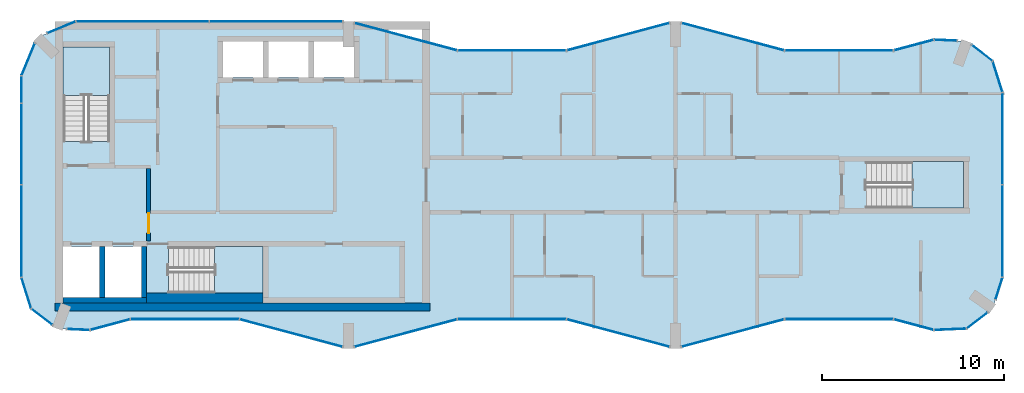
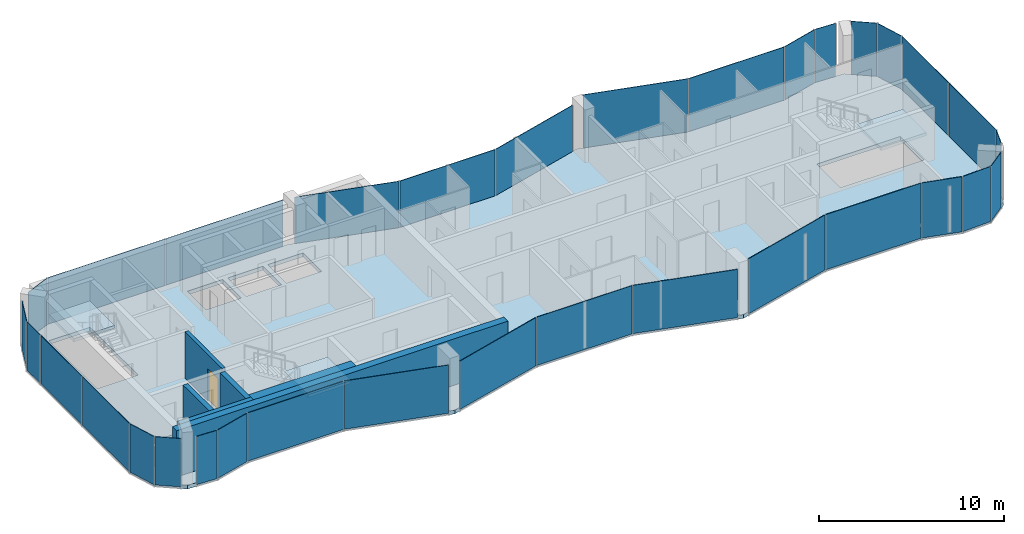
# One storey, part 6 of 10: 33 plates, 6 walls, 4 slabs, 1 door, 1 opening, 32 elements without a shape of their own.
"""IFC4 building model written with IfcOpenShell, lengths in metres."""

from ifc_helpers import new_model, si_unit, direction, frame, frame_2d, origin, origin_2d, place, context, subcontext, project, spatial, polyline, rectangle, outline, extrude, material, layer, layer_set, type_object, element, fill, aggregate, save


model = new_model("IFC4")

# Units and contexts
model_context = context("Model", 3, precision=1e-05, world=origin(), true_north=direction((0.0, 1.0)))
body_context = subcontext(model_context, "Body", "Model", "MODEL_VIEW")
ifc_project = project(units=[si_unit("LENGTHUNIT", "METRE"), si_unit("AREAUNIT", "SQUARE_METRE"), si_unit("VOLUMEUNIT", "CUBIC_METRE"), si_unit("PLANEANGLEUNIT", "RADIAN"), si_unit("MASSUNIT", "GRAM", prefix="KILO")], contexts=[model_context])

# Site, building, storey
site_placement = place(None, origin())
site = spatial("IfcSite", under=ifc_project, at=site_placement, CompositionType="ELEMENT")
building_placement = place(site_placement, origin())
building = spatial("IfcBuilding", under=site, at=building_placement, Name="Plateau Cross Towers", CompositionType="ELEMENT")
storey_placement = place(building_placement, frame((0.0, 0.0, 284.39990234375)))
storey = spatial("IfcBuildingStorey", under=building, at=storey_placement, Name="L75", CompositionType="ELEMENT", Elevation=284.39990234375)

# Curtain wall, plate
ifc_material_1 = material(Name="Dark low-iron glass", Category="glass")
ifc_layer_1 = layer(ifc_material_1, 0.239990234375)
ifc_layer_set_1 = layer_set([ifc_layer_1], Name="Dark low-iron glass")
curtain_wall_type_1 = type_object("IfcCurtainWallType", Name="Curtain wall flush unitised CW-B", PredefinedType="NOTDEFINED", material=ifc_layer_set_1)
curtain_wall_1_placement = place(storey_placement, origin())
curtain_wall_1 = element("IfcCurtainWall", 1, at=curtain_wall_1_placement, inside=storey, type_object=curtain_wall_type_1, Name="ENV/A/L75/A502_10", PredefinedType="NOTDEFINED")
ifc_layer_2 = layer(ifc_material_1, 0.031982421875)
ifc_layer_set_2 = layer_set([ifc_layer_2], Name="Dark low-iron glass")
plate_type_1 = type_object("IfcPlateType", Name="Glass panel 32 flush unitised", PredefinedType="CURTAIN_PANEL", material=ifc_layer_set_2)
plate_1_placement = place(storey_placement, frame((51.125, 1.05078125, -0.1298828125), z_axis=(0.0, 0.0, 1.0), x_axis=(0.999043701491, 0.043722791671, 0.0)))
plate_1 = element("IfcPlate", 2, at=plate_1_placement, type_object=plate_type_1, Name="CW-B panel 1", PredefinedType="CURTAIN_PANEL", context=body_context, shape_type="SweptSolid", body=[
    extrude(rectangle(XDim=1.744140625, YDim=0.031982421875, at=origin_2d()), origin(), (0.0, 0.0, 1.0), 3.6298828125),
])
aggregate(curtain_wall_1, [plate_1])

curtain_wall_2_placement = place(storey_placement, origin())
curtain_wall_2 = element("IfcCurtainWall", 3, at=curtain_wall_2_placement, inside=storey, type_object=curtain_wall_type_1, Name="ENV/A/L75/A520_11", PredefinedType="NOTDEFINED")
plate_2_placement = place(storey_placement, frame((52.60986328125, 1.5380859375, -0.1298828125), z_axis=(0.0, 0.0, 1.0), x_axis=(0.793315514529, 0.608810721331, 0.0)))
plate_2 = element("IfcPlate", 4, at=plate_2_placement, type_object=plate_type_1, Name="CW-B panel 1", PredefinedType="CURTAIN_PANEL", context=body_context, shape_type="SweptSolid", body=[
    extrude(rectangle(XDim=1.41162109375, YDim=0.031982421875, at=origin_2d()), origin(), (0.0, 0.0, 1.0), 3.6298828125),
])
aggregate(curtain_wall_2, [plate_2])

curtain_wall_3_placement = place(storey_placement, origin())
curtain_wall_3 = element("IfcCurtainWall", 5, at=curtain_wall_3_placement, inside=storey, type_object=curtain_wall_type_1, Name="ENV/A/L75/A536_27", PredefinedType="NOTDEFINED")
plate_3_placement = place(storey_placement, frame((53.805419921875, 3.292236328125, -0.1298828125), z_axis=(0.0, 0.0, 1.0), x_axis=(0.300686174994, 0.95372313811, 0.0)))
plate_3 = element("IfcPlate", 6, at=plate_3_placement, type_object=plate_type_1, Name="CW-B panel 1", PredefinedType="CURTAIN_PANEL", context=body_context, shape_type="SweptSolid", body=[
    extrude(rectangle(XDim=1.233642578125, YDim=0.031982421875, at=origin_2d()), origin(), (0.0, 0.0, 1.0), 3.6298828125),
])
aggregate(curtain_wall_3, [plate_3])

# Curtain wall, plates
curtain_wall_4_placement = place(storey_placement, origin())
curtain_wall_4 = element("IfcCurtainWall", 7, at=curtain_wall_4_placement, inside=storey, type_object=curtain_wall_type_1, Name="ENV/A/L75/A540_39", PredefinedType="NOTDEFINED")
plate_4_placement = place(storey_placement, frame((54.0, 6.45458984375, -0.1298828125), z_axis=(0.0, 0.0, 1.0), x_axis=(0.0, 1.0, 0.0)))
plate_4 = element("IfcPlate", 8, at=plate_4_placement, type_object=plate_type_1, Name="CW-B panel 1", PredefinedType="CURTAIN_PANEL", context=body_context, shape_type="SweptSolid", body=[
    extrude(rectangle(XDim=5.03076171875, YDim=0.031982421875, at=origin_2d()), origin(), (0.0, 0.0, 1.0), 3.6298828125),
])
plate_5_placement = place(storey_placement, frame((54.0, 11.54541015625, -0.1298828125), z_axis=(0.0, 0.0, 1.0), x_axis=(0.0, 1.0, 0.0)))
plate_5 = element("IfcPlate", 9, at=plate_5_placement, type_object=plate_type_1, Name="CW-B panel 2", PredefinedType="CURTAIN_PANEL", context=body_context, shape_type="SweptSolid", body=[
    extrude(rectangle(XDim=5.03076171875, YDim=0.031982421875, at=origin_2d()), origin(), (0.0, 0.0, 1.0), 3.6298828125),
])
aggregate(curtain_wall_4, [plate_4, plate_5])

# Curtain wall, plate
curtain_wall_5_placement = place(storey_placement, origin())
curtain_wall_5 = element("IfcCurtainWall", 10, at=curtain_wall_5_placement, inside=storey, type_object=curtain_wall_type_1, Name="ENV/A/L75/A540_141", PredefinedType="NOTDEFINED")
plate_6_placement = place(storey_placement, frame((53.728759765625, 14.951171875, -0.1298828125), z_axis=(0.0, 0.0, 1.0), x_axis=(-0.300686174994, 0.95372313811, 0.0)))
plate_6 = element("IfcPlate", 11, at=plate_6_placement, type_object=plate_type_1, Name="CW-B panel 1", PredefinedType="CURTAIN_PANEL", context=body_context, shape_type="SweptSolid", body=[
    extrude(rectangle(XDim=1.744140625, YDim=0.031982421875, at=origin_2d()), origin(), (0.0, 0.0, 1.0), 3.6298828125),
])
aggregate(curtain_wall_5, [plate_6])

curtain_wall_6_placement = place(storey_placement, origin())
curtain_wall_6 = element("IfcCurtainWall", 12, at=curtain_wall_6_placement, inside=storey, type_object=curtain_wall_type_1, Name="ENV/A/L75/A535_158", PredefinedType="NOTDEFINED")
plate_7_placement = place(storey_placement, frame((52.873779296875, 16.25927734375, -0.1298828125), z_axis=(0.0, 0.0, 1.0), x_axis=(-0.793315514529, 0.608810721331, 0.0)))
plate_7 = element("IfcPlate", 13, at=plate_7_placement, type_object=plate_type_1, Name="CW-B panel 1", PredefinedType="CURTAIN_PANEL", context=body_context, shape_type="SweptSolid", body=[
    extrude(rectangle(XDim=1.41162109375, YDim=0.031982421875, at=origin_2d()), origin(), (0.0, 0.0, 1.0), 3.6298828125),
])
aggregate(curtain_wall_6, [plate_7])

curtain_wall_7_placement = place(storey_placement, origin())
curtain_wall_7 = element("IfcCurtainWall", 14, at=curtain_wall_7_placement, inside=storey, type_object=curtain_wall_type_1, Name="ENV/A/L75/A515_169", PredefinedType="NOTDEFINED")
plate_8_placement = place(storey_placement, frame((50.8701171875, 16.96044921875, -0.1298828125), z_axis=(0.0, 0.0, 1.0), x_axis=(-0.999043701491, 0.043722791671, 0.0)))
plate_8 = element("IfcPlate", 15, at=plate_8_placement, type_object=plate_type_1, Name="CW-B panel 1", PredefinedType="CURTAIN_PANEL", context=body_context, shape_type="SweptSolid", body=[
    extrude(rectangle(XDim=1.233642578125, YDim=0.031982421875, at=origin_2d()), origin(), (0.0, 0.0, 1.0), 3.6298828125),
])
aggregate(curtain_wall_7, [plate_8])

# Curtain wall, plates
curtain_wall_8_placement = place(storey_placement, origin())
curtain_wall_8 = element("IfcCurtainWall", 16, at=curtain_wall_8_placement, inside=storey, type_object=curtain_wall_type_1, Name="ENV/A/L75/A177_180", PredefinedType="NOTDEFINED")
plate_9_placement = place(storey_placement, frame((14.02490234375, 18.0, -0.1298828125), z_axis=(0.0, 0.0, 1.0), x_axis=(-1.0, 0.0, 0.0)))
plate_9 = element("IfcPlate", 17, at=plate_9_placement, type_object=plate_type_1, Name="CW-B panel 1", PredefinedType="CURTAIN_PANEL", context=body_context, shape_type="SweptSolid", body=[
    extrude(rectangle(XDim=7.2900390625, YDim=0.031982421875, at=origin_2d()), origin(), (0.0, 0.0, 1.0), 3.179931640625),
])
plate_10_placement = place(storey_placement, frame((6.675048828125, 18.0, -0.1298828125), z_axis=(0.0, 0.0, 1.0), x_axis=(-1.0, 0.0, 0.0)))
plate_10 = element("IfcPlate", 18, at=plate_10_placement, type_object=plate_type_1, Name="CW-B panel 2", PredefinedType="CURTAIN_PANEL", context=body_context, shape_type="SweptSolid", body=[
    extrude(rectangle(XDim=7.2900390625, YDim=0.031982421875, at=origin_2d()), origin(), (0.0, 0.0, 1.0), 3.179931640625),
])
aggregate(curtain_wall_8, [plate_9, plate_10])

# Curtain wall, plate
curtain_wall_9_placement = place(storey_placement, origin())
curtain_wall_9 = element("IfcCurtainWall", 19, at=curtain_wall_9_placement, inside=storey, type_object=curtain_wall_type_1, Name="ENV/A/L75/A30_180", PredefinedType="NOTDEFINED")
plate_11_placement = place(storey_placement, frame((2.20166015625, 17.66943359375, -0.1298828125), z_axis=(0.0, 0.0, 1.0), x_axis=(-0.923879457699, -0.382683612978, 0.0)))
plate_11 = element("IfcPlate", 20, at=plate_11_placement, type_object=plate_type_1, Name="CW-B panel 1", PredefinedType="CURTAIN_PANEL", context=body_context, shape_type="SweptSolid", body=[
    extrude(rectangle(XDim=1.668212890625, YDim=0.031982421875, at=origin_2d()), origin(), (0.0, 0.0, 1.0), 3.179931640625),
])
aggregate(curtain_wall_9, [plate_11])

curtain_wall_10_placement = place(storey_placement, origin())
curtain_wall_10 = element("IfcCurtainWall", 21, at=curtain_wall_10_placement, inside=storey, type_object=curtain_wall_type_1, Name="ENV/A/L75/A7_168", PredefinedType="NOTDEFINED")
plate_12_placement = place(storey_placement, frame((0.3740234375, 15.90283203125, -0.1298828125), z_axis=(0.0, 0.0, 1.0), x_axis=(-0.382683612978, -0.923879457699, 0.0)))
plate_12 = element("IfcPlate", 22, at=plate_12_placement, type_object=plate_type_1, Name="CW-B panel 1", PredefinedType="CURTAIN_PANEL", context=body_context, shape_type="SweptSolid", body=[
    extrude(rectangle(XDim=1.894775390625, YDim=0.031982421875, at=origin_2d()), origin(), (0.0, 0.0, 1.0), 3.179931640625),
])
aggregate(curtain_wall_10, [plate_12])

# Curtain wall, plates
curtain_wall_11_placement = place(storey_placement, origin())
curtain_wall_11 = element("IfcCurtainWall", 23, at=curtain_wall_11_placement, inside=storey, type_object=curtain_wall_type_1, Name="ENV/A/L75/A0_150", PredefinedType="NOTDEFINED")
plate_13_placement = place(storey_placement, frame((0.0, 14.25, -0.1298828125), z_axis=(0.0, 0.0, 1.0), x_axis=(0.0, -1.0, 0.0)))
plate_13 = element("IfcPlate", 24, at=plate_13_placement, type_object=plate_type_1, Name="CW-B panel 1", PredefinedType="CURTAIN_PANEL", context=body_context, shape_type="SweptSolid", body=[
    extrude(rectangle(XDim=1.43994140625, YDim=0.031982421875, at=origin_2d()), origin(), (0.0, 0.0, 1.0), 3.179931640625),
])
plate_14_placement = place(storey_placement, frame((0.0, 11.25, -0.1298828125), z_axis=(0.0, 0.0, 1.0), x_axis=(0.0, -1.0, 0.0)))
plate_14 = element("IfcPlate", 25, at=plate_14_placement, type_object=plate_type_1, Name="CW-B panel 2", PredefinedType="CURTAIN_PANEL", context=body_context, shape_type="SweptSolid", body=[
    extrude(rectangle(XDim=4.43994140625, YDim=0.031982421875, at=origin_2d()), origin(), (0.0, 0.0, 1.0), 3.179931640625),
])
plate_15_placement = place(storey_placement, frame((0.0, 6.45458984375, -0.1298828125), z_axis=(0.0, 0.0, 1.0), x_axis=(0.0, -1.0, 0.0)))
plate_15 = element("IfcPlate", 26, at=plate_15_placement, type_object=plate_type_1, Name="CW-B panel 3", PredefinedType="CURTAIN_PANEL", context=body_context, shape_type="SweptSolid", body=[
    extrude(rectangle(XDim=5.03076171875, YDim=0.031982421875, at=origin_2d()), origin(), (0.0, 0.0, 1.0), 3.179931640625),
])
aggregate(curtain_wall_11, [plate_13, plate_14, plate_15])

# Curtain wall, plate
curtain_wall_12_placement = place(storey_placement, origin())
curtain_wall_12 = element("IfcCurtainWall", 27, at=curtain_wall_12_placement, inside=storey, type_object=curtain_wall_type_1, Name="ENV/A/L75/A0_39", PredefinedType="NOTDEFINED")
plate_16_placement = place(storey_placement, frame((0.271240234375, 3.048828125, -0.1298828125), z_axis=(0.0, 0.0, 1.0), x_axis=(0.300686174994, -0.95372313811, 0.0)))
plate_16 = element("IfcPlate", 28, at=plate_16_placement, type_object=plate_type_1, Name="CW-B panel 1", PredefinedType="CURTAIN_PANEL", context=body_context, shape_type="SweptSolid", body=[
    extrude(rectangle(XDim=1.744140625, YDim=0.031982421875, at=origin_2d()), origin(), (0.0, 0.0, 1.0), 3.179931640625),
])
aggregate(curtain_wall_12, [plate_16])

curtain_wall_13_placement = place(storey_placement, origin())
curtain_wall_13 = element("IfcCurtainWall", 29, at=curtain_wall_13_placement, inside=storey, type_object=curtain_wall_type_1, Name="ENV/A/L75/A5_22", PredefinedType="NOTDEFINED")
plate_17_placement = place(storey_placement, frame((1.126220703125, 1.74072265625, -0.1298828125), z_axis=(0.0, 0.0, 1.0), x_axis=(0.793315514529, -0.608810721331, 0.0)))
plate_17 = element("IfcPlate", 30, at=plate_17_placement, type_object=plate_type_1, Name="CW-B panel 1", PredefinedType="CURTAIN_PANEL", context=body_context, shape_type="SweptSolid", body=[
    extrude(rectangle(XDim=1.41162109375, YDim=0.031982421875, at=origin_2d()), origin(), (0.0, 0.0, 1.0), 3.179931640625),
])
aggregate(curtain_wall_13, [plate_17])

curtain_wall_14_placement = place(storey_placement, origin())
curtain_wall_14 = element("IfcCurtainWall", 31, at=curtain_wall_14_placement, inside=storey, type_object=curtain_wall_type_1, Name="ENV/A/L75/A25_11", PredefinedType="NOTDEFINED")
plate_18_placement = place(storey_placement, frame((3.1298828125, 1.03955078125, -0.1298828125), z_axis=(0.0, 0.0, 1.0), x_axis=(0.999043701491, -0.043722791671, 0.0)))
plate_18 = element("IfcPlate", 32, at=plate_18_placement, type_object=plate_type_1, Name="CW-B panel 1", PredefinedType="CURTAIN_PANEL", context=body_context, shape_type="SweptSolid", body=[
    extrude(rectangle(XDim=1.233642578125, YDim=0.031982421875, at=origin_2d()), origin(), (0.0, 0.0, 1.0), 3.179931640625),
])
aggregate(curtain_wall_14, [plate_18])

ifc_layer_3 = layer(ifc_material_1, 0.260009765625)
ifc_layer_set_3 = layer_set([ifc_layer_3], Name="Dark low-iron glass")
curtain_wall_type_2 = type_object("IfcCurtainWallType", Name="Curtain wall fluted unitised CW-A", PredefinedType="NOTDEFINED", material=ifc_layer_set_3)
curtain_wall_15_placement = place(storey_placement, origin())
curtain_wall_15 = element("IfcCurtainWall", 33, at=curtain_wall_15_placement, inside=storey, type_object=curtain_wall_type_2, Name="ENV/A/L75/A38_10", PredefinedType="NOTDEFINED")
ifc_layer_4 = layer(ifc_material_1, 0.035888671875)
ifc_layer_set_4 = layer_set([ifc_layer_4], Name="Dark low-iron glass")
plate_type_2 = type_object("IfcPlateType", Name="Glass panel 36 fluted unitised", PredefinedType="CURTAIN_PANEL", material=ifc_layer_set_4)
plate_19_placement = place(storey_placement, frame((4.887939453125, 1.30908203125, -0.1298828125), z_axis=(0.0, 0.0, 1.0), x_axis=(0.965957962328, 0.258699081978, 0.0)))
plate_19 = element("IfcPlate", 34, at=plate_19_placement, type_object=plate_type_2, Name="CW-A panel 1", PredefinedType="CURTAIN_PANEL", context=body_context, shape_type="SweptSolid", body=[
    extrude(rectangle(XDim=2.2421875, YDim=0.035888671875, at=origin_2d()), origin(), (0.0, 0.0, 1.0), 3.179931640625),
])
aggregate(curtain_wall_15, [plate_19])

curtain_wall_16_placement = place(storey_placement, origin())
curtain_wall_16 = element("IfcCurtainWall", 35, at=curtain_wall_16_placement, inside=storey, type_object=curtain_wall_type_2, Name="ENV/A/L75/A60_16", PredefinedType="NOTDEFINED")
plate_20_placement = place(storey_placement, frame((9.0, 1.60693359375, -0.1298828125), z_axis=(0.0, 0.0, 1.0), x_axis=(1.0, 0.0, 0.0)))
plate_20 = element("IfcPlate", 36, at=plate_20_placement, type_object=plate_type_2, Name="CW-A panel 1", PredefinedType="CURTAIN_PANEL", context=body_context, shape_type="SweptSolid", body=[
    extrude(rectangle(XDim=5.93994140625, YDim=0.035888671875, at=origin_2d()), origin(), (0.0, 0.0, 1.0), 3.179931640625),
])
aggregate(curtain_wall_16, [plate_20])

curtain_wall_17_placement = place(storey_placement, origin())
curtain_wall_17 = element("IfcCurtainWall", 37, at=curtain_wall_17_placement, inside=storey, type_object=curtain_wall_type_2, Name="ENV/A/L75/A120_16", PredefinedType="NOTDEFINED")
plate_21_placement = place(storey_placement, frame((14.841064453125, 0.845947265625, -0.1298828125), z_axis=(0.0, 0.0, 1.0), x_axis=(0.965957983404, -0.258699003279, 0.0)))
plate_21 = element("IfcPlate", 38, at=plate_21_placement, type_object=plate_type_2, Name="CW-A panel 1", PredefinedType="CURTAIN_PANEL", context=body_context, shape_type="SweptSolid", body=[
    extrude(rectangle(XDim=5.822265625, YDim=0.035888671875, at=origin_2d()), origin(), (0.0, 0.0, 1.0), 3.179931640625),
])
aggregate(curtain_wall_17, [plate_21])

curtain_wall_18_placement = place(storey_placement, origin())
curtain_wall_18 = element("IfcCurtainWall", 39, at=curtain_wall_18_placement, inside=storey, type_object=curtain_wall_type_2, Name="ENV/A/L75/A183_1", PredefinedType="NOTDEFINED")
plate_22_placement = place(storey_placement, frame((21.158935546875, 0.845947265625, -0.1298828125), z_axis=(0.0, 0.0, 1.0), x_axis=(0.965957983404, 0.258699003279, 0.0)))
plate_22 = element("IfcPlate", 40, at=plate_22_placement, type_object=plate_type_2, Name="CW-A panel 1", PredefinedType="CURTAIN_PANEL", context=body_context, shape_type="SweptSolid", body=[
    extrude(rectangle(XDim=5.822265625, YDim=0.035888671875, at=origin_2d()), origin(), (0.0, 0.0, 1.0), 3.179931640625),
])
aggregate(curtain_wall_18, [plate_22])

curtain_wall_19_placement = place(storey_placement, origin())
curtain_wall_19 = element("IfcCurtainWall", 41, at=curtain_wall_19_placement, inside=storey, type_object=curtain_wall_type_2, Name="ENV/A/L75/A240_16", PredefinedType="NOTDEFINED")
plate_23_placement = place(storey_placement, frame((27.0, 1.60693359375, -0.1298828125), z_axis=(0.0, 0.0, 1.0), x_axis=(1.0, 0.0, 0.0)))
plate_23 = element("IfcPlate", 42, at=plate_23_placement, type_object=plate_type_2, Name="CW-A panel 1", PredefinedType="CURTAIN_PANEL", context=body_context, shape_type="SweptSolid", body=[
    extrude(rectangle(XDim=5.93994140625, YDim=0.035888671875, at=origin_2d()), origin(), (0.0, 0.0, 1.0), 3.179931640625),
])
aggregate(curtain_wall_19, [plate_23])

curtain_wall_20_placement = place(storey_placement, origin())
curtain_wall_20 = element("IfcCurtainWall", 43, at=curtain_wall_20_placement, inside=storey, type_object=curtain_wall_type_2, Name="ENV/A/L75/A300_16", PredefinedType="NOTDEFINED")
plate_24_placement = place(storey_placement, frame((32.841064453125, 0.845947265625, -0.1298828125), z_axis=(0.0, 0.0, 1.0), x_axis=(0.965957983404, -0.258699003279, 0.0)))
plate_24 = element("IfcPlate", 44, at=plate_24_placement, type_object=plate_type_2, Name="CW-A panel 1", PredefinedType="CURTAIN_PANEL", context=body_context, shape_type="SweptSolid", body=[
    extrude(rectangle(XDim=5.822265625, YDim=0.035888671875, at=origin_2d()), origin(), (0.0, 0.0, 1.0), 3.179931640625),
])
aggregate(curtain_wall_20, [plate_24])

curtain_wall_21_placement = place(storey_placement, origin())
curtain_wall_21 = element("IfcCurtainWall", 45, at=curtain_wall_21_placement, inside=storey, type_object=curtain_wall_type_2, Name="ENV/A/L75/A363_1", PredefinedType="NOTDEFINED")
plate_25_placement = place(storey_placement, frame((39.158935546875, 0.845947265625, -0.1298828125), z_axis=(0.0, 0.0, 1.0), x_axis=(0.965957983404, 0.258699003279, 0.0)))
plate_25 = element("IfcPlate", 46, at=plate_25_placement, type_object=plate_type_2, Name="CW-A panel 1", PredefinedType="CURTAIN_PANEL", context=body_context, shape_type="SweptSolid", body=[
    extrude(rectangle(XDim=5.822265625, YDim=0.035888671875, at=origin_2d()), origin(), (0.0, 0.0, 1.0), 3.6298828125),
])
aggregate(curtain_wall_21, [plate_25])

curtain_wall_22_placement = place(storey_placement, origin())
curtain_wall_22 = element("IfcCurtainWall", 47, at=curtain_wall_22_placement, inside=storey, type_object=curtain_wall_type_2, Name="ENV/A/L75/A420_16", PredefinedType="NOTDEFINED")
plate_26_placement = place(storey_placement, frame((45.0, 1.60693359375, -0.1298828125), z_axis=(0.0, 0.0, 1.0), x_axis=(1.0, 0.0, 0.0)))
plate_26 = element("IfcPlate", 48, at=plate_26_placement, type_object=plate_type_2, Name="CW-A panel 1", PredefinedType="CURTAIN_PANEL", context=body_context, shape_type="SweptSolid", body=[
    extrude(rectangle(XDim=5.93994140625, YDim=0.035888671875, at=origin_2d()), origin(), (0.0, 0.0, 1.0), 3.6298828125),
])
aggregate(curtain_wall_22, [plate_26])

curtain_wall_23_placement = place(storey_placement, origin())
curtain_wall_23 = element("IfcCurtainWall", 49, at=curtain_wall_23_placement, inside=storey, type_object=curtain_wall_type_2, Name="ENV/A/L75/A480_16", PredefinedType="NOTDEFINED")
plate_27_placement = place(storey_placement, frame((49.112060546875, 1.30908203125, -0.1298828125), z_axis=(0.0, 0.0, 1.0), x_axis=(0.965957962328, -0.258699081978, 0.0)))
plate_27 = element("IfcPlate", 50, at=plate_27_placement, type_object=plate_type_2, Name="CW-A panel 1", PredefinedType="CURTAIN_PANEL", context=body_context, shape_type="SweptSolid", body=[
    extrude(rectangle(XDim=2.2421875, YDim=0.035888671875, at=origin_2d()), origin(), (0.0, 0.0, 1.0), 3.6298828125),
])
aggregate(curtain_wall_23, [plate_27])

curtain_wall_24_placement = place(storey_placement, origin())
curtain_wall_24 = element("IfcCurtainWall", 51, at=curtain_wall_24_placement, inside=storey, type_object=curtain_wall_type_2, Name="ENV/A/L75/A502_170", PredefinedType="NOTDEFINED")
plate_28_placement = place(storey_placement, frame((49.112060546875, 16.69091796875, -0.1298828125), z_axis=(0.0, 0.0, 1.0), x_axis=(-0.965957962328, -0.258699081978, 0.0)))
plate_28 = element("IfcPlate", 52, at=plate_28_placement, type_object=plate_type_2, Name="CW-A panel 1", PredefinedType="CURTAIN_PANEL", context=body_context, shape_type="SweptSolid", body=[
    extrude(rectangle(XDim=2.2421875, YDim=0.035888671875, at=origin_2d()), origin(), (0.0, 0.0, 1.0), 3.6298828125),
])
aggregate(curtain_wall_24, [plate_28])

curtain_wall_25_placement = place(storey_placement, origin())
curtain_wall_25 = element("IfcCurtainWall", 53, at=curtain_wall_25_placement, inside=storey, type_object=curtain_wall_type_2, Name="ENV/A/L75/A480_164", PredefinedType="NOTDEFINED")
plate_29_placement = place(storey_placement, frame((45.0, 16.39306640625, -0.1298828125), z_axis=(0.0, 0.0, 1.0), x_axis=(-1.0, 0.0, 0.0)))
plate_29 = element("IfcPlate", 54, at=plate_29_placement, type_object=plate_type_2, Name="CW-A panel 1", PredefinedType="CURTAIN_PANEL", context=body_context, shape_type="SweptSolid", body=[
    extrude(rectangle(XDim=5.93994140625, YDim=0.035888671875, at=origin_2d()), origin(), (0.0, 0.0, 1.0), 3.6298828125),
])
aggregate(curtain_wall_25, [plate_29])

curtain_wall_26_placement = place(storey_placement, origin())
curtain_wall_26 = element("IfcCurtainWall", 55, at=curtain_wall_26_placement, inside=storey, type_object=curtain_wall_type_2, Name="ENV/A/L75/A420_164", PredefinedType="NOTDEFINED")
plate_30_placement = place(storey_placement, frame((39.158935546875, 17.154052734375, -0.1298828125), z_axis=(0.0, 0.0, 1.0), x_axis=(-0.965957983404, 0.258699003279, 0.0)))
plate_30 = element("IfcPlate", 56, at=plate_30_placement, type_object=plate_type_2, Name="CW-A panel 1", PredefinedType="CURTAIN_PANEL", context=body_context, shape_type="SweptSolid", body=[
    extrude(rectangle(XDim=5.822265625, YDim=0.035888671875, at=origin_2d()), origin(), (0.0, 0.0, 1.0), 3.6298828125),
])
aggregate(curtain_wall_26, [plate_30])

curtain_wall_27_placement = place(storey_placement, origin())
curtain_wall_27 = element("IfcCurtainWall", 57, at=curtain_wall_27_placement, inside=storey, type_object=curtain_wall_type_2, Name="ENV/A/L75/A357_179", PredefinedType="NOTDEFINED")
plate_31_placement = place(storey_placement, frame((32.841064453125, 17.154052734375, -0.1298828125), z_axis=(0.0, 0.0, 1.0), x_axis=(-0.965957983404, -0.258699003279, 0.0)))
plate_31 = element("IfcPlate", 58, at=plate_31_placement, type_object=plate_type_2, Name="CW-A panel 1", PredefinedType="CURTAIN_PANEL", context=body_context, shape_type="SweptSolid", body=[
    extrude(rectangle(XDim=5.822265625, YDim=0.035888671875, at=origin_2d()), origin(), (0.0, 0.0, 1.0), 3.179931640625),
])
aggregate(curtain_wall_27, [plate_31])

curtain_wall_28_placement = place(storey_placement, origin())
curtain_wall_28 = element("IfcCurtainWall", 59, at=curtain_wall_28_placement, inside=storey, type_object=curtain_wall_type_2, Name="ENV/A/L75/A300_164", PredefinedType="NOTDEFINED")
plate_32_placement = place(storey_placement, frame((27.0, 16.39306640625, -0.1298828125), z_axis=(0.0, 0.0, 1.0), x_axis=(-1.0, 0.0, 0.0)))
plate_32 = element("IfcPlate", 60, at=plate_32_placement, type_object=plate_type_2, Name="CW-A panel 1", PredefinedType="CURTAIN_PANEL", context=body_context, shape_type="SweptSolid", body=[
    extrude(rectangle(XDim=5.93994140625, YDim=0.035888671875, at=origin_2d()), origin(), (0.0, 0.0, 1.0), 3.179931640625),
])
aggregate(curtain_wall_28, [plate_32])

curtain_wall_29_placement = place(storey_placement, origin())
curtain_wall_29 = element("IfcCurtainWall", 61, at=curtain_wall_29_placement, inside=storey, type_object=curtain_wall_type_2, Name="ENV/A/L75/A240_164", PredefinedType="NOTDEFINED")
plate_33_placement = place(storey_placement, frame((21.158935546875, 17.154052734375, -0.1298828125), z_axis=(0.0, 0.0, 1.0), x_axis=(-0.965957983404, 0.258699003279, 0.0)))
plate_33 = element("IfcPlate", 62, at=plate_33_placement, type_object=plate_type_2, Name="CW-A panel 1", PredefinedType="CURTAIN_PANEL", context=body_context, shape_type="SweptSolid", body=[
    extrude(rectangle(XDim=5.822265625, YDim=0.035888671875, at=origin_2d()), origin(), (0.0, 0.0, 1.0), 3.179931640625),
])
aggregate(curtain_wall_29, [plate_33])

# Slab
ifc_material_2 = material(Name="Concrete C40/50", Category="concrete")
ifc_layer_5 = layer(ifc_material_2, 0.25)
ifc_layer_set_5 = layer_set([ifc_layer_5], Name="Concrete C40/50")
slab_type_1 = type_object("IfcSlabType", Name="Post-tensioned flat plate slab 250", PredefinedType="FLOOR", material=ifc_layer_set_5)
slab_1_placement = place(storey_placement, frame((0.0, 0.0, -0.25)))
element("IfcSlab", 63, at=slab_1_placement, inside=storey, type_object=slab_type_1, Name="SL-A-L75", PredefinedType="FLOOR", context=body_context, shape_type="SweptSolid", body=[
    extrude(outline(polyline([(1.9736328125, 1.090087890625), (0.54248046875, 2.1884765625), (0.0, 3.9091796875), (0.0, 15.0), (0.878662109375, 17.121337890625), (3.0, 18.0), (18.0, 18.0), (24.0, 16.39306640625), (30.0, 16.39306640625), (36.0, 18.0), (42.0, 16.39306640625), (48.0, 16.39306640625), (50.223876953125, 16.98876953125), (52.0263671875, 16.909912109375), (53.45751953125, 15.8115234375), (54.0, 14.0908203125), (54.0, 3.9091796875), (53.45751953125, 2.1884765625), (52.0263671875, 1.090087890625), (50.223876953125, 1.01123046875), (48.0, 1.60693359375), (42.0, 1.60693359375), (36.0, 0.0), (30.0, 1.60693359375), (24.0, 1.60693359375), (18.0, 0.0), (12.0, 1.60693359375), (6.0, 1.60693359375), (3.776123046875, 1.01123046875), (1.9736328125, 1.090087890625)]), holes=[polyline([(4.300048828125, 5.60009765625), (2.300048828125, 5.60009765625), (2.300048828125, 2.800048828125), (4.300048828125, 2.800048828125), (4.300048828125, 5.60009765625)]), polyline([(6.60009765625, 5.60009765625), (4.60009765625, 5.60009765625), (4.60009765625, 2.800048828125), (6.60009765625, 2.800048828125), (6.60009765625, 5.60009765625)]), polyline([(13.300048828125, 5.60009765625), (8.10009765625, 5.60009765625), (8.10009765625, 3.050048828125), (13.300048828125, 3.050048828125), (13.300048828125, 5.60009765625)]), polyline([(51.699951171875, 10.27490234375), (46.5, 10.27490234375), (46.5, 7.72509765625), (51.699951171875, 7.72509765625), (51.699951171875, 10.27490234375)]), polyline([(2.300048828125, 16.60009765625), (2.300048828125, 11.39990234375), (4.85009765625, 11.39990234375), (4.85009765625, 16.60009765625), (2.300048828125, 16.60009765625)]), polyline([(13.300048828125, 16.89990234375), (11.10009765625, 16.89990234375), (11.10009765625, 14.89990234375), (13.300048828125, 14.89990234375), (13.300048828125, 16.89990234375)]), polyline([(15.800048828125, 16.89990234375), (13.60009765625, 16.89990234375), (13.60009765625, 14.89990234375), (15.800048828125, 14.89990234375), (15.800048828125, 16.89990234375)]), polyline([(18.300048828125, 16.89990234375), (16.10009765625, 16.89990234375), (16.10009765625, 14.89990234375), (18.300048828125, 14.89990234375), (18.300048828125, 16.89990234375)])]), origin(), (0.0, 0.0, 1.0), 0.25),
])

# Stair, slab
stair_type = type_object("IfcStairType", Name="ST-TWR", PredefinedType="HALF_TURN_STAIR", material=ifc_material_2)
stair_1_placement = place(storey_placement, origin())
stair_1 = element("IfcStair", 64, at=stair_1_placement, inside=storey, type_object=stair_type, Name="L75 Protected Exit Stair ST-1", PredefinedType="HALF_TURN_STAIR")
ifc_layer_6 = layer(ifc_material_2, 0.199951171875)
ifc_layer_set_6 = layer_set([ifc_layer_6], Name="Concrete C40/50")
slab_type_2 = type_object("IfcSlabType", Name="SL-LANDING", PredefinedType="LANDING", material=ifc_layer_set_6)
slab_2_placement = place(storey_placement, frame((0.0, 0.0, 1.550048828125)))
slab_2 = element("IfcSlab", 65, at=slab_2_placement, type_object=slab_type_2, Name="ST-1 landing 1", PredefinedType="LANDING", context=body_context, shape_type="SweptSolid", body=[
    extrude(outline(polyline([(4.85009765625, 13.919921875), (4.85009765625, 16.60009765625), (2.300048828125, 16.60009765625), (2.300048828125, 13.919921875), (4.85009765625, 13.919921875)])), origin(), (0.0, 0.0, 1.0), 0.199951171875),
])
aggregate(stair_1, [slab_2])

stair_2_placement = place(storey_placement, origin())
stair_2 = element("IfcStair", 66, at=stair_2_placement, inside=storey, type_object=stair_type, Name="L75 Protected Exit Stair ST-2", PredefinedType="HALF_TURN_STAIR")
slab_3_placement = place(storey_placement, frame((0.0, 0.0, 1.550048828125)))
slab_3 = element("IfcSlab", 67, at=slab_3_placement, type_object=slab_type_2, Name="ST-2 landing 1", PredefinedType="LANDING", context=body_context, shape_type="SweptSolid", body=[
    extrude(outline(polyline([(10.6201171875, 3.050048828125), (13.300048828125, 3.050048828125), (13.300048828125, 5.60009765625), (10.6201171875, 5.60009765625), (10.6201171875, 3.050048828125)])), origin(), (0.0, 0.0, 1.0), 0.199951171875),
])
aggregate(stair_2, [slab_3])

stair_3_placement = place(storey_placement, origin())
stair_3 = element("IfcStair", 68, at=stair_3_placement, inside=storey, type_object=stair_type, Name="L75 Protected Exit Stair E", PredefinedType="HALF_TURN_STAIR")
slab_4_placement = place(storey_placement, frame((0.0, 0.0, 1.550048828125)))
slab_4 = element("IfcSlab", 69, at=slab_4_placement, type_object=slab_type_2, Name="ES-E landing 1", PredefinedType="LANDING", context=body_context, shape_type="SweptSolid", body=[
    extrude(outline(polyline([(49.02001953125, 7.72509765625), (51.85009765625, 7.72509765625), (51.85009765625, 10.27490234375), (49.02001953125, 10.27490234375), (49.02001953125, 7.72509765625)])), origin(), (0.0, 0.0, 1.0), 0.199951171875),
])
aggregate(stair_3, [slab_4])

# Wall, opening, door
ifc_material_3 = material(Name="Concrete block, plastered both sides", Category="concrete")
ifc_layer_7 = layer(ifc_material_3, 0.199951171875)
ifc_layer_set_7 = layer_set([ifc_layer_7], Name="Concrete block, plastered both sides")
wall_type_1 = type_object("IfcWallType", Name="Core partition 200", PredefinedType="PARTITIONING", material=ifc_layer_set_7)
wall_1_placement = place(storey_placement, frame((7.0, 5.89990234375, 0.0), z_axis=(0.0, 0.0, 1.0), x_axis=(0.0, 1.0, 0.0)))
wall_1 = element("IfcWall", 70, at=wall_1_placement, inside=storey, type_object=wall_type_1, Name="Core partition", PredefinedType="PARTITIONING", context=body_context, shape_type="SweptSolid", body=[
    extrude(rectangle(XDim=4.0, YDim=0.199951171875, at=frame_2d((2.0, 0.0))), origin(), (0.0, 0.0, 1.0), 3.050048828125),
])
opening_placement = place(wall_1_placement, frame((0.449951171875, 0.0, 0.0)))
opening = element("IfcOpeningElement", 71, at=opening_placement, cuts=wall_1, Name="Opening FFD", PredefinedType="OPENING", context=body_context, shape_type="SweptSolid", body=[
    extrude(rectangle(XDim=1.10009765625, YDim=2.10009765625, at=frame_2d((0.550048828125, 1.050048828125))), frame((0.0, 0.10986328125, 0.0), z_axis=(0.0, -1.0, 0.0), x_axis=(1.0, 0.0, 0.0)), (0.0, 0.0, 1.0), 0.219970703125),
])
ifc_material_4 = material(Name="Steel, fire-resisting leaf", Category="steel")
door_type = type_object("IfcDoorType", Name="Firefighting lobby door 1100", OperationType="NOTDEFINED", PredefinedType="DOOR", material=ifc_material_4)
door_placement = place(opening_placement, origin())
door = element("IfcDoor", 72, at=door_placement, inside=storey, type_object=door_type, Name="Firefighting lobby door FFD", OperationType="SINGLE_SWING_LEFT", OverallHeight=2.10009765625, OverallWidth=1.10009765625, PredefinedType="DOOR", context=body_context, shape_type="SweptSolid", body=[
    extrude(rectangle(XDim=1.10009765625, YDim=2.10009765625, at=frame_2d((0.550048828125, 1.050048828125))), frame((0.0, 0.02490234375, 0.0), z_axis=(0.0, -1.0, 0.0), x_axis=(1.0, 0.0, 0.0)), (0.0, 0.0, 1.0), 0.050048828125),
])
fill(opening, door)

# Walls
ifc_material_5 = material(Name="Concrete C60/75", Category="concrete")
ifc_layer_8 = layer(ifc_material_5, 0.300048828125)
ifc_layer_set_8 = layer_set([ifc_layer_8], Name="Concrete C60/75")
wall_type_2 = type_object("IfcWallType", Name="Core shaft wall 300", PredefinedType="SHEAR", material=ifc_layer_set_8)
wall_2_placement = place(storey_placement, frame((2.300048828125, 2.64990234375, 0.0), z_axis=(0.0, 0.0, 1.0), x_axis=(1.0, 0.0, 0.0)))
element("IfcWall", 73, at=wall_2_placement, inside=storey, type_object=wall_type_2, Name="A-sb-back1@L75", PredefinedType="SHEAR", context=body_context, shape_type="SweptSolid", body=[
    extrude(rectangle(XDim=4.599853515625, YDim=0.300048828125, at=frame_2d((2.2998046875, 0.0))), origin(), (0.0, 0.0, 1.0), 3.050048828125),
])
for number, where, z_axis, x_axis, name in (
    (74, (4.449951171875, 2.800048828125, 0.0), (0.0, 0.0, 1.0), (0.0, 1.0, 0.0), "A-sb-v1@L75"),
    (75, (6.75, 2.800048828125, 0.0), (0.0, 0.0, 1.0), (0.0, 1.0, 0.0), "A-sb-v2@L75"),
):
    element("IfcWall", number, at=place(storey_placement, frame(where, z_axis=z_axis, x_axis=x_axis)), inside=storey, type_object=wall_type_2, Name=name, PredefinedType="SHEAR", context=body_context, shape_type="SweptSolid", body=[
        extrude(rectangle(XDim=2.800048828125, YDim=0.300048828125, at=frame_2d((1.39990234375, 0.0))), origin(), (0.0, 0.0, 1.0), 3.050048828125),
    ])
ifc_layer_9 = layer(ifc_material_5, 0.550048828125)
ifc_layer_set_9 = layer_set([ifc_layer_9], Name="Concrete C60/75")
wall_type_3 = type_object("IfcWallType", Name="Core shaft wall 550", PredefinedType="SHEAR", material=ifc_layer_set_9)
wall_3_placement = place(storey_placement, frame((6.89990234375, 2.77490234375, 0.0), z_axis=(0.0, 0.0, 1.0), x_axis=(1.0, 0.0, 0.0)))
element("IfcWall", 76, at=wall_3_placement, inside=storey, type_object=wall_type_3, Name="A-sb-back2@L75", PredefinedType="SHEAR", context=body_context, shape_type="SweptSolid", body=[
    extrude(rectangle(XDim=6.400146484375, YDim=0.550048828125, at=frame_2d((3.2001953125, 0.0))), origin(), (0.0, 0.0, 1.0), 3.050048828125),
])
ifc_layer_10 = layer(ifc_material_5, 0.449951171875)
ifc_layer_set_10 = layer_set([ifc_layer_10], Name="Concrete C60/75")
wall_type_4 = type_object("IfcWallType", Name="Core shell wall 450", PredefinedType="SHEAR", material=ifc_layer_set_10)
wall_4_placement = place(storey_placement, frame((1.85009765625, 2.27490234375, 0.0), z_axis=(0.0, 0.0, 1.0), x_axis=(1.0, 0.0, 0.0)))
element("IfcWall", 77, at=wall_4_placement, inside=storey, type_object=wall_type_4, Name="A-core-S@L75", PredefinedType="SHEAR", context=body_context, shape_type="SweptSolid", body=[
    extrude(rectangle(XDim=20.64990234375, YDim=0.449951171875, at=frame_2d((10.324951171875, 0.0))), origin(), (0.0, 0.0, 1.0), 3.050048828125),
])

save(model, "model.ifc")
